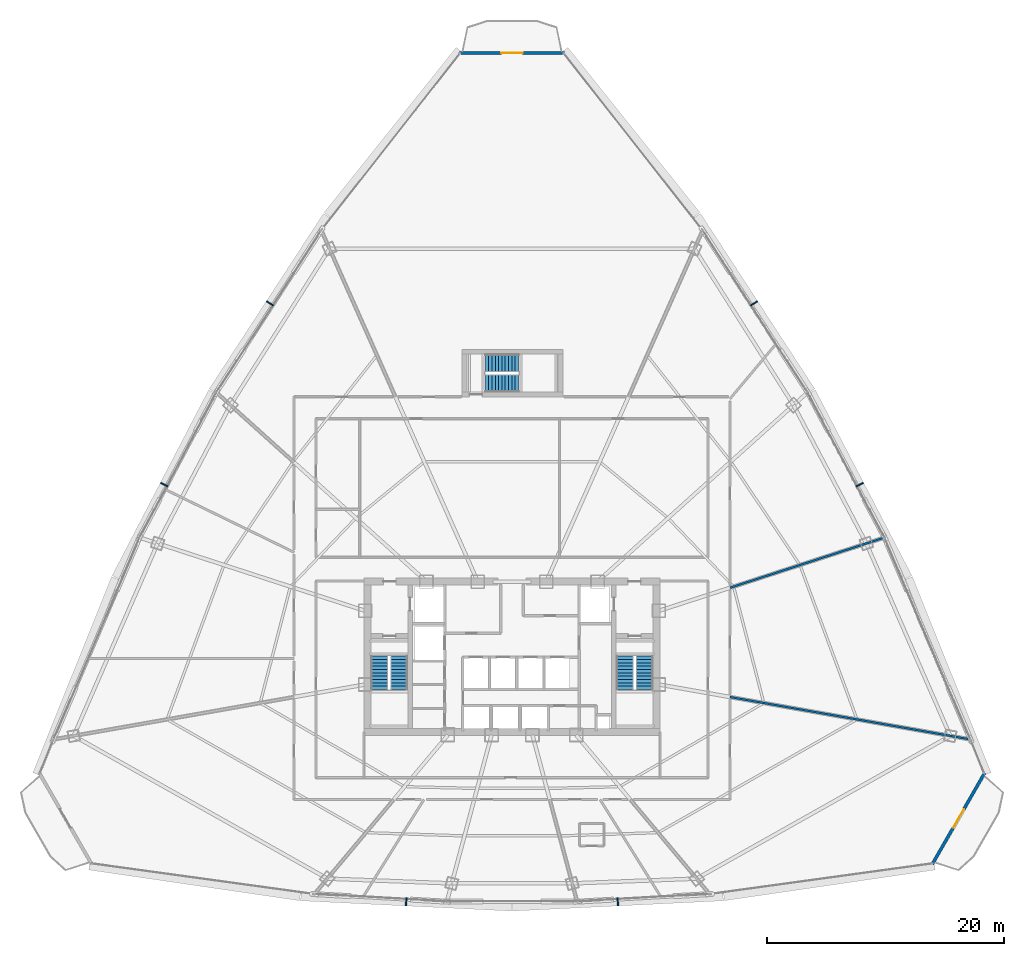
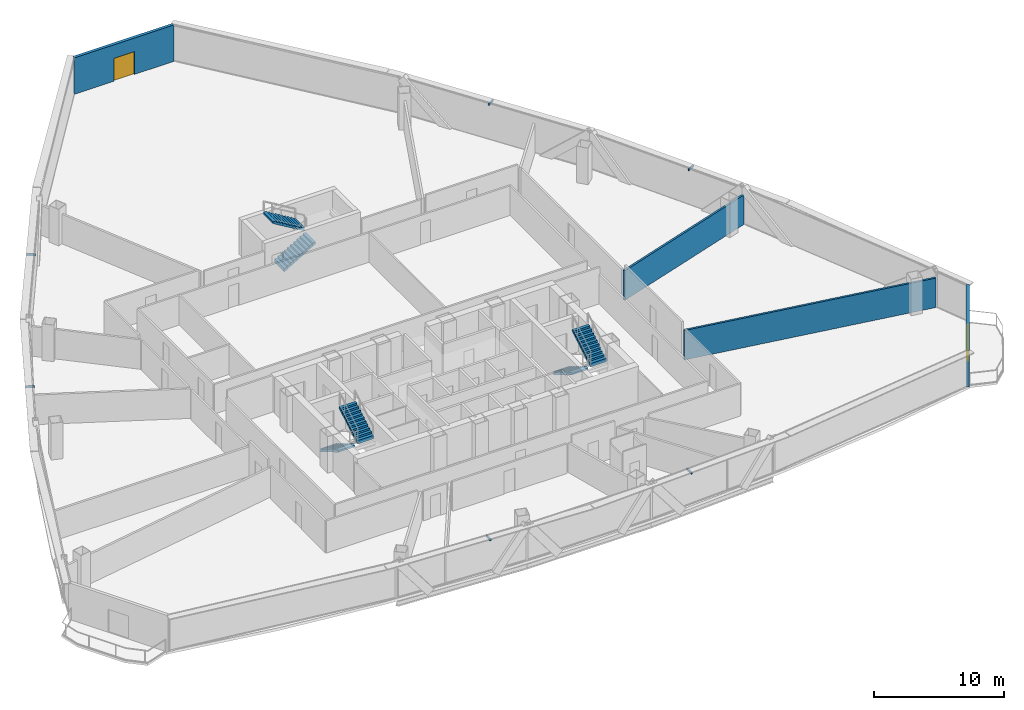
# One storey, part 35 of 39: 6 discrete accessories, 6 stair flights, 4 walls, 2 doors, 2 openings, 3 elements without a shape of their own.
"""IFC4 building model written with IfcOpenShell, lengths in metres."""

from ifc_helpers import new_model, si_unit, direction, frame, frame_2d, origin, origin_with_axes, origin_2d, place, context, subcontext, project, spatial, polyline, rectangle, outline, extrude, source, transform, mapped, material, layer, layer_set, type_object, element, fill, aggregate, save


model = new_model("IFC4")

# Units and contexts
model_context = context("Model", 3, precision=1e-05, world=origin(), true_north=direction((0.0, 1.0)))
body_context = subcontext(model_context, "Body", "Model", "MODEL_VIEW")
ifc_project = project(units=[si_unit("LENGTHUNIT", "METRE"), si_unit("AREAUNIT", "SQUARE_METRE"), si_unit("VOLUMEUNIT", "CUBIC_METRE"), si_unit("PLANEANGLEUNIT", "RADIAN"), si_unit("MASSUNIT", "GRAM", prefix="KILO"), si_unit("THERMODYNAMICTEMPERATUREUNIT", "KELVIN"), si_unit("POWERUNIT", "WATT")], contexts=[model_context])

# Site, building, storey
site_placement = place(None, origin())
site = spatial("IfcSite", under=ifc_project, at=site_placement, CompositionType="ELEMENT")
building_placement = place(site_placement, origin())
building = spatial("IfcBuilding", under=site, at=building_placement, Name="Yunzhuo Pagoda Commons", CompositionType="ELEMENT")
storey_placement = place(building_placement, frame((0.0, 0.0, 140.8701171875)))
storey = spatial("IfcBuildingStorey", under=building, at=storey_placement, Name="L35", CompositionType="ELEMENT", Elevation=140.8701171875)

# Wall, opening, door
ifc_material_1 = material(Name="Precast concrete C40", Category="concrete")
ifc_layer_1 = layer(ifc_material_1, 0.260009765625)
ifc_layer_set_1 = layer_set([ifc_layer_1], Name="Precast concrete C40")
wall_type_1 = type_object("IfcWallType", Name="W-BAL1 Corner Balcony Threshold Wall 260", PredefinedType="STANDARD", material=ifc_layer_set_1)
wall_1_placement = place(storey_placement, frame((83.48779296875, 16.356201171875, 0.0), z_axis=(0.0, 0.0, 1.0), x_axis=(0.497915888941, 0.867225326856, 0.0)))
wall_1 = element("IfcWall", 1, at=wall_1_placement, inside=storey, type_object=wall_type_1, Name="L35 corner balcony wall V2", PredefinedType="STANDARD", context=body_context, shape_type="SweptSolid", body=[
    extrude(rectangle(XDim=8.857666015625, YDim=0.260009765625, at=frame_2d((4.4287109375, 0.0))), origin(), (0.0, 0.0, 1.0), 3.419921875),
])
opening_1_placement = place(wall_1_placement, frame((3.52880859375, 0.0, 0.0)))
opening_1 = element("IfcOpeningElement", 2, at=opening_1_placement, cuts=wall_1, Name="Opening D-BAL1", PredefinedType="OPENING", context=body_context, shape_type="SweptSolid", body=[
    extrude(rectangle(XDim=1.800048828125, YDim=2.14990234375, at=frame_2d((0.89990234375, 1.074951171875))), frame((0.0, 0.14013671875, 0.0), z_axis=(0.0, -1.0, 0.0), x_axis=(1.0, 0.0, 0.0)), (0.0, 0.0, 1.0), 0.280029296875),
])
ifc_material_2 = material(Name="Anodized aluminium frame and tempered glazed leaf", Category="aluminium")
door_type = type_object("IfcDoorType", Name="D-BAL1 Corner Balcony Sliding Glazed Door 1800x2150", OperationType="DOUBLE_DOOR_SLIDING", PredefinedType="DOOR", material=ifc_material_2)
shared_shape_1 = source(origin(), body_context, "Body", "SweptSolid", [
    extrude(rectangle(XDim=1.800048828125, YDim=2.14990234375, at=frame_2d((0.89990234375, 1.074951171875))), frame((0.0, 0.02490234375, 0.0), z_axis=(0.0, -1.0, 0.0), x_axis=(1.0, 0.0, 0.0)), (0.0, 0.0, 1.0), 0.050048828125),
])
door_1_placement = place(opening_1_placement, origin_with_axes())
door_1 = element("IfcDoor", 3, at=door_1_placement, inside=storey, type_object=door_type, Name="L35 corner balcony sliding door V2", OperationType="DOUBLE_DOOR_SLIDING", OverallHeight=2.14990234375, OverallWidth=1.800048828125, PredefinedType="DOOR", context=body_context, shape_type="MappedRepresentation", body=[
    mapped(shared_shape_1, transform((0.0, 0.0, 0.0), scale=1.0)),
])
fill(opening_1, door_1)

wall_2_placement = place(storey_placement, frame((52.4111328125, 84.828369140625, 0.0), z_axis=(0.0, 0.0, 1.0), x_axis=(-1.0, 0.0, 0.0)))
wall_2 = element("IfcWall", 4, at=wall_2_placement, inside=storey, type_object=wall_type_1, Name="L35 corner balcony wall V3", PredefinedType="STANDARD", context=body_context, shape_type="SweptSolid", body=[
    extrude(rectangle(XDim=8.822265625, YDim=0.260009765625, at=frame_2d((4.4111328125, 0.0))), origin(), (0.0, 0.0, 1.0), 3.419921875),
])
opening_2_placement = place(wall_2_placement, frame((3.510986328125, 0.0, 0.0)))
opening_2 = element("IfcOpeningElement", 5, at=opening_2_placement, cuts=wall_2, Name="Opening D-BAL1", PredefinedType="OPENING", context=body_context, shape_type="SweptSolid", body=[
    extrude(rectangle(XDim=1.800048828125, YDim=2.14990234375, at=frame_2d((0.89990234375, 1.074951171875))), frame((0.0, 0.14013671875, 0.0), z_axis=(0.0, -1.0, 0.0), x_axis=(1.0, 0.0, 0.0)), (0.0, 0.0, 1.0), 0.280029296875),
])
door_2_placement = place(opening_2_placement, origin_with_axes())
door_2 = element("IfcDoor", 6, at=door_2_placement, inside=storey, type_object=door_type, Name="L35 corner balcony sliding door V3", OperationType="DOUBLE_DOOR_SLIDING", OverallHeight=2.14990234375, OverallWidth=1.800048828125, PredefinedType="DOOR", context=body_context, shape_type="MappedRepresentation", body=[
    mapped(shared_shape_1, transform((0.0, 0.0, 0.0), scale=1.0)),
])
fill(opening_2, door_2)

# Walls
ifc_material_3 = material(Name="Gypsum plasterboard on acoustic stud")
ifc_layer_2 = layer(ifc_material_3, 0.175048828125)
ifc_layer_set_2 = layer_set([ifc_layer_2], Name="Gypsum plasterboard on acoustic stud")
wall_type_2 = type_object("IfcWallType", Name="W-PRT3 Mid-Zone Demising Wall 175", PredefinedType="PARTITIONING", material=ifc_layer_set_2)
wall_3_placement = place(storey_placement, frame((66.39990234375, 39.678466796875, 0.0), z_axis=(0.0, 0.0, 1.0), x_axis=(0.951057598357, 0.309013664112, 0.0)))
element("IfcWall", 7, at=wall_3_placement, inside=storey, type_object=wall_type_2, Name="L35 interior wall IW-L35-RAD01", PredefinedType="PARTITIONING", context=body_context, shape_type="SweptSolid", body=[
    extrude(rectangle(XDim=13.723388671875, YDim=0.175048828125, at=frame_2d((6.86181640625, 0.0))), origin(), (0.0, 0.0, 1.0), 2.769775390625),
])
wall_4_placement = place(storey_placement, frame((66.39990234375, 30.45556640625, 0.0), z_axis=(0.0, 0.0, 1.0), x_axis=(0.984807623882, -0.173648909998, 0.0)))
element("IfcWall", 8, at=wall_4_placement, inside=storey, type_object=wall_type_2, Name="L35 interior wall IW-L35-RAD14", PredefinedType="PARTITIONING", context=body_context, shape_type="SweptSolid", body=[
    extrude(rectangle(XDim=20.622314453125, YDim=0.175048828125, at=frame_2d((10.31103515625, 0.0))), origin(), (0.0, 0.0, 1.0), 2.769775390625),
])

# Stair, stair flights
ifc_material_4 = material(Name="Concrete C40", Category="concrete")
stair_type_1 = type_object("IfcStairType", Name="ST-C1 Core Smokeproof Stair ST1", PredefinedType="HALF_TURN_STAIR", material=ifc_material_4)
stair_1_placement = place(storey_placement, origin())
stair_1 = element("IfcStair", 9, at=stair_1_placement, inside=storey, type_object=stair_type_1, Name="L35 Core smokeproof stair ST1", PredefinedType="HALF_TURN_STAIR")
stair_flight_type_1 = type_object("IfcStairFlightType", Name="STF-C1 Core Stair Flight 1450", PredefinedType="STRAIGHT", material=ifc_material_4)
shared_shape_2 = source(origin(), body_context, "Body", "SweptSolid", [
    extrude(outline(polyline([(0.0, -0.14990234375), (0.0, 0.0), (0.0, 0.167236328125), (0.280029296875, 0.167236328125), (0.280029296875, 0.33447265625), (0.56005859375, 0.33447265625), (0.56005859375, 0.501708984375), (0.840087890625, 0.501708984375), (0.840087890625, 0.669189453125), (1.1201171875, 0.669189453125), (1.1201171875, 0.83642578125), (1.39990234375, 0.83642578125), (1.39990234375, 1.003662109375), (1.679931640625, 1.003662109375), (1.679931640625, 1.1708984375), (1.9599609375, 1.1708984375), (1.9599609375, 1.338134765625), (2.239990234375, 1.338134765625), (2.239990234375, 1.50537109375), (2.52001953125, 1.50537109375), (2.52001953125, 1.672607421875), (2.800048828125, 1.672607421875), (2.800048828125, 1.840087890625), (2.800048828125, 1.498046875), (0.292236328125, 0.0), (0.050048828125, -0.14990234375), (0.0, -0.14990234375)])), frame((0.0, 0.72509765625, 0.0), z_axis=(0.0, -1.0, 0.0), x_axis=(1.0, 0.0, 0.0)), (0.0, 0.0, 1.0), 1.449951171875),
])
stair_flight_1_placement = place(storey_placement, frame((36.824951171875, 33.89990234375, 0.0), z_axis=(0.0, 0.0, 1.0), x_axis=(0.0, -1.0, 0.0)))
stair_flight_1 = element("IfcStairFlight", 10, at=stair_flight_1_placement, type_object=stair_flight_type_1, Name="ST1 flight 1", NumberOfRisers=11, NumberOfTreads=10, PredefinedType="STRAIGHT", RiserHeight=0.167272727, TreadLength=0.28, context=body_context, shape_type="MappedRepresentation", body=[
    mapped(shared_shape_2, transform((0.0, 0.0, 0.0), scale=1.0)),
])
stair_flight_2_placement = place(storey_placement, frame((38.47509765625, 31.10009765625, 1.83984375), z_axis=(0.0, 0.0, 1.0), x_axis=(0.0, 1.0, 0.0)))
stair_flight_2 = element("IfcStairFlight", 11, at=stair_flight_2_placement, type_object=stair_flight_type_1, Name="ST1 flight 2", NumberOfRisers=11, NumberOfTreads=10, PredefinedType="STRAIGHT", RiserHeight=0.167272727, TreadLength=0.28, context=body_context, shape_type="MappedRepresentation", body=[
    mapped(shared_shape_2, transform((0.0, 0.0, 0.0), scale=1.0)),
])
aggregate(stair_1, [stair_flight_1, stair_flight_2])

stair_type_2 = type_object("IfcStairType", Name="ST-C2 Core Smokeproof Stair ST2", PredefinedType="HALF_TURN_STAIR", material=ifc_material_4)
stair_2_placement = place(storey_placement, origin())
stair_2 = element("IfcStair", 12, at=stair_2_placement, inside=storey, type_object=stair_type_2, Name="L35 Core smokeproof stair ST2", PredefinedType="HALF_TURN_STAIR")
stair_flight_type_2 = type_object("IfcStairFlightType", Name="STF-C2 Core Stair Flight 1460", PredefinedType="STRAIGHT", material=ifc_material_4)
stair_flight_3_placement = place(storey_placement, frame((57.52490234375, 33.89990234375, 0.0), z_axis=(0.0, 0.0, 1.0), x_axis=(0.0, -1.0, 0.0)))
stair_flight_3 = element("IfcStairFlight", 13, at=stair_flight_3_placement, type_object=stair_flight_type_2, Name="ST2 flight 1", NumberOfRisers=11, NumberOfTreads=10, PredefinedType="STRAIGHT", RiserHeight=0.167272727, TreadLength=0.28, context=body_context, shape_type="MappedRepresentation", body=[
    mapped(shared_shape_2, transform((0.0, 0.0, 0.0), scale=1.0)),
])
stair_flight_4_placement = place(storey_placement, frame((59.175048828125, 31.10009765625, 1.83984375), z_axis=(0.0, 0.0, 1.0), x_axis=(0.0, 1.0, 0.0)))
stair_flight_4 = element("IfcStairFlight", 14, at=stair_flight_4_placement, type_object=stair_flight_type_2, Name="ST2 flight 2", NumberOfRisers=11, NumberOfTreads=10, PredefinedType="STRAIGHT", RiserHeight=0.167272727, TreadLength=0.28, context=body_context, shape_type="MappedRepresentation", body=[
    mapped(shared_shape_2, transform((0.0, 0.0, 0.0), scale=1.0)),
])
aggregate(stair_2, [stair_flight_3, stair_flight_4])

stair_type_3 = type_object("IfcStairType", Name="ST-C3 North Tower Smokeproof Stair ST3", PredefinedType="HALF_TURN_STAIR", material=ifc_material_4)
stair_3_placement = place(storey_placement, origin())
stair_3 = element("IfcStair", 15, at=stair_3_placement, inside=storey, type_object=stair_type_3, Name="L35 North tower smokeproof stair ST3", PredefinedType="HALF_TURN_STAIR")
stair_flight_type_3 = type_object("IfcStairFlightType", Name="STF-C3 North Stair Flight 1500", PredefinedType="STRAIGHT", material=ifc_material_4)
shared_shape_3 = source(origin(), body_context, "Body", "SweptSolid", [
    extrude(outline(polyline([(0.0, -0.14990234375), (0.0, 0.0), (0.0, 0.167236328125), (0.280029296875, 0.167236328125), (0.280029296875, 0.33447265625), (0.56005859375, 0.33447265625), (0.56005859375, 0.501708984375), (0.840087890625, 0.501708984375), (0.840087890625, 0.669189453125), (1.1201171875, 0.669189453125), (1.1201171875, 0.83642578125), (1.39990234375, 0.83642578125), (1.39990234375, 1.003662109375), (1.679931640625, 1.003662109375), (1.679931640625, 1.1708984375), (1.9599609375, 1.1708984375), (1.9599609375, 1.338134765625), (2.239990234375, 1.338134765625), (2.239990234375, 1.50537109375), (2.52001953125, 1.50537109375), (2.52001953125, 1.672607421875), (2.800048828125, 1.672607421875), (2.800048828125, 1.840087890625), (2.800048828125, 1.498046875), (0.292236328125, 0.0), (0.050048828125, -0.14990234375), (0.0, -0.14990234375)])), frame((0.0, 0.75, 0.0), z_axis=(0.0, -1.0, 0.0), x_axis=(1.0, 0.0, 0.0)), (0.0, 0.0, 1.0), 1.5),
])
stair_flight_5_placement = place(storey_placement, frame((45.75, 56.949951171875, 0.0), z_axis=(0.0, 0.0, 1.0), x_axis=(1.0, 0.0, 0.0)))
stair_flight_5 = element("IfcStairFlight", 16, at=stair_flight_5_placement, type_object=stair_flight_type_3, Name="ST3 flight 1", NumberOfRisers=11, NumberOfTreads=10, PredefinedType="STRAIGHT", RiserHeight=0.167272727, TreadLength=0.28, context=body_context, shape_type="MappedRepresentation", body=[
    mapped(shared_shape_3, transform((0.0, 0.0, 0.0), scale=1.0)),
])
stair_flight_6_placement = place(storey_placement, frame((48.550048828125, 58.64990234375, 1.83984375), z_axis=(0.0, 0.0, 1.0), x_axis=(-1.0, 0.0, 0.0)))
stair_flight_6 = element("IfcStairFlight", 17, at=stair_flight_6_placement, type_object=stair_flight_type_3, Name="ST3 flight 2", NumberOfRisers=11, NumberOfTreads=10, PredefinedType="STRAIGHT", RiserHeight=0.167272727, TreadLength=0.28, context=body_context, shape_type="MappedRepresentation", body=[
    mapped(shared_shape_3, transform((0.0, 0.0, 0.0), scale=1.0)),
])
aggregate(stair_3, [stair_flight_5, stair_flight_6])

# Discrete accessories
ifc_material_5 = material(Name="Anodized aluminium 6063-T6", Category="aluminium")
discrete_accessory_type = type_object("IfcDiscreteAccessoryType", Name="BK-SUN1 Sunshade Outrigger Bracket", PredefinedType="BRACKET", material=ifc_material_5)
shared_shape_4 = source(origin(), body_context, "Body", "SweptSolid", [
    extrude(rectangle(XDim=0.1201171875, YDim=0.679931640625, at=origin_2d()), origin(), (0.0, 0.0, 1.0), 0.179931640625),
])
for number, where, z_axis, x_axis, name in (
    (18, (39.071533203125, 13.183837890625, 3.2099609375), (0.0, 0.0, 1.0), (0.998818043775, -0.04860571396, 0.0), "L35 sunshade outrigger bracket F1.2"),
    (19, (56.928466796875, 13.183837890625, 3.2099609375), (0.0, 0.0, 1.0), (0.998818043775, 0.04860571396, 0.0), "L35 sunshade outrigger bracket F1.3"),
    (20, (77.359130859375, 48.385009765625, 3.2099609375), (0.0, 0.0, 1.0), (-0.461206683033, 0.88729273384, 0.0), "L35 sunshade outrigger bracket F2.2"),
    (21, (68.4306640625, 63.680908203125, 3.2099609375), (0.0, 0.0, 1.0), (-0.545853380833, 0.837880711458, 0.0), "L35 sunshade outrigger bracket F2.3"),
    (22, (27.5693359375, 63.680908203125, 3.2099609375), (0.0, 0.0, 1.0), (-0.545853380833, -0.837880711458, 0.0), "L35 sunshade outrigger bracket F3.2"),
    (23, (18.640869140625, 48.385009765625, 3.2099609375), (0.0, 0.0, 1.0), (-0.461206683033, -0.88729273384, 0.0), "L35 sunshade outrigger bracket F3.3"),
):
    element("IfcDiscreteAccessory", number, at=place(storey_placement, frame(where, z_axis=z_axis, x_axis=x_axis)), inside=storey, type_object=discrete_accessory_type, Name=name, PredefinedType="BRACKET", context=body_context, shape_type="MappedRepresentation", body=[
        mapped(shared_shape_4, transform((0.0, 0.0, 0.0), scale=1.0)),
    ])

save(model, "model.ifc")
